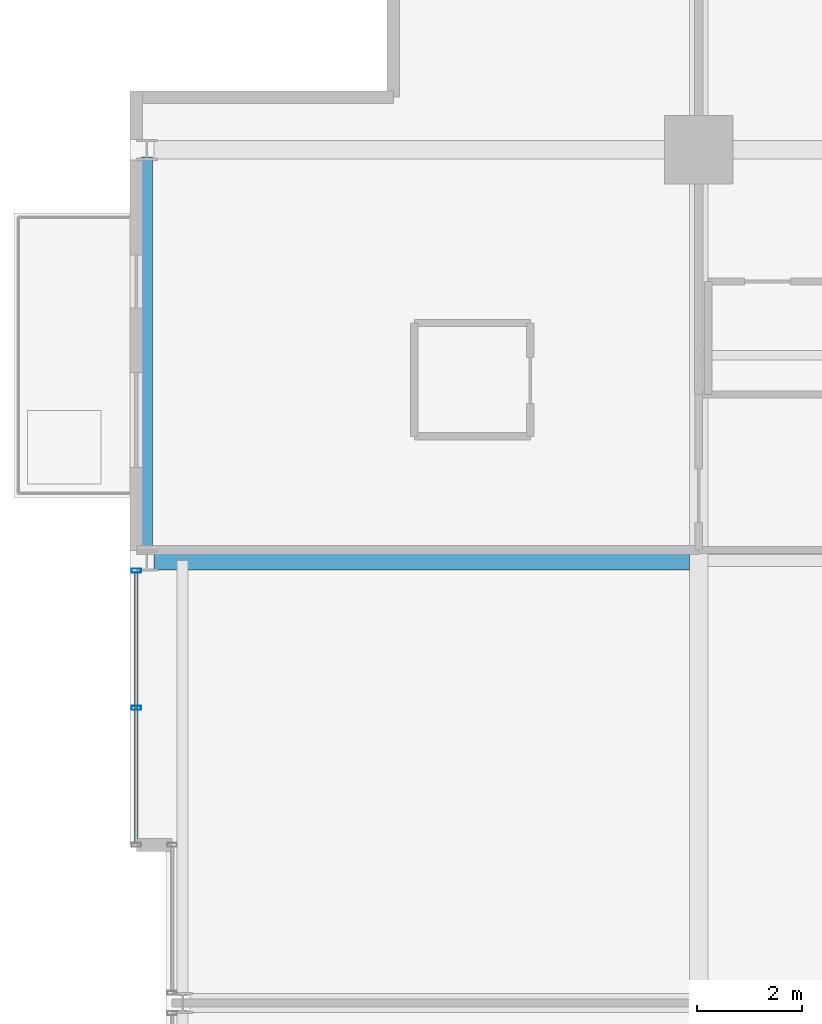
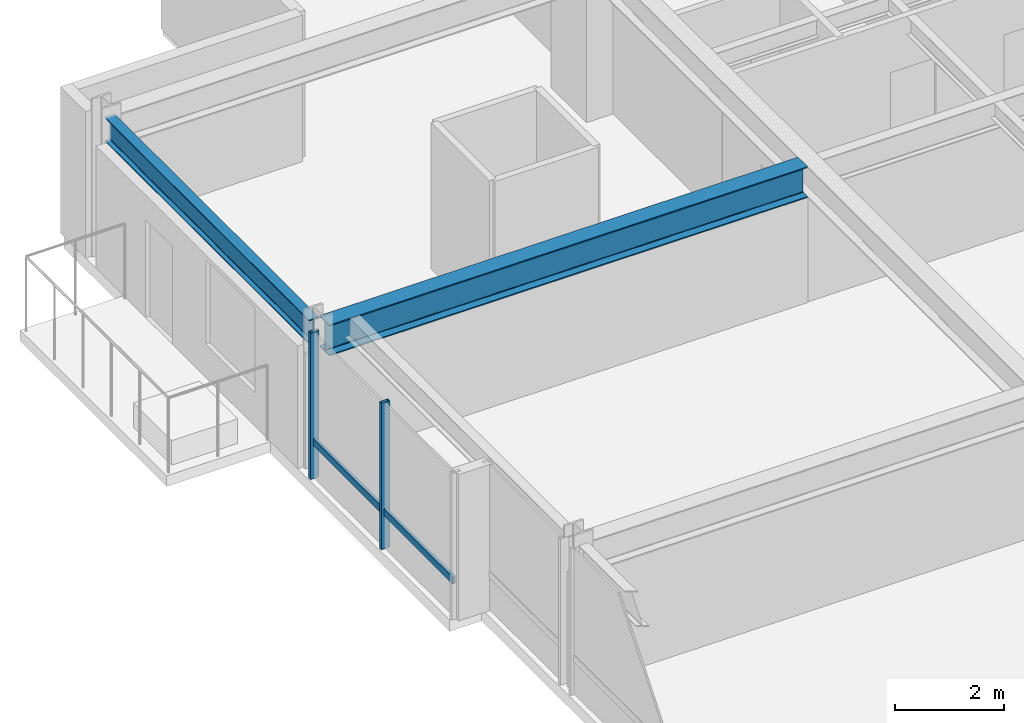
# One storey, part 17 of 31: 3 members, 2 beams, 1 element without a shape of its own.
"""IFC4 building model written with IfcOpenShell, lengths in metres."""

from ifc_helpers import new_model, si_unit, direction, frame, origin, origin_2d, place, context, subcontext, project, spatial, hollow_rectangle, i_section, extrude, material, layer, layer_set, material_profile, profile_set, type_object, element, aggregate, save


model = new_model("IFC4")

# Units and contexts
model_context = context("Model", 3, precision=1e-05, world=origin(), true_north=direction((0.0, 1.0)))
body_context = subcontext(model_context, "Body", "Model", "MODEL_VIEW")
ifc_project = project(units=[si_unit("LENGTHUNIT", "METRE"), si_unit("AREAUNIT", "SQUARE_METRE"), si_unit("VOLUMEUNIT", "CUBIC_METRE"), si_unit("PLANEANGLEUNIT", "RADIAN"), si_unit("MASSUNIT", "GRAM", prefix="KILO")], contexts=[model_context])

# Site, building, storey
site_placement = place(None, origin())
site = spatial("IfcSite", under=ifc_project, at=site_placement, CompositionType="ELEMENT")
building_placement = place(site_placement, origin())
building = spatial("IfcBuilding", under=site, at=building_placement, Name="Drelvath Grand Hotel", CompositionType="ELEMENT")
storey_placement = place(building_placement, frame((0.0, 0.0, 185.89990234375)))
storey = spatial("IfcBuildingStorey", under=building, at=storey_placement, Name="L48", CompositionType="ELEMENT", Elevation=185.89990234375)

# Curtain wall, members
ifc_material_1 = material(Name="Brushed Pale-Silver Anodised Aluminium Frame", Category="aluminium")
ifc_layer = layer(ifc_material_1, 0.199951171875)
ifc_layer_set = layer_set([ifc_layer], Name="Brushed Pale-Silver Anodised Aluminium Frame")
curtain_wall_type = type_object("IfcCurtainWallType", Name="Stick Curtain Wall CW-04 Brushed Silver Upper-Mid", PredefinedType="NOTDEFINED", material=ifc_layer_set)
curtain_wall_placement = place(storey_placement, origin())
curtain_wall = element("IfcCurtainWall", 1, at=curtain_wall_placement, inside=storey, type_object=curtain_wall_type, Name="L48 CW-04 Curtain Wall CW04-L48-WN1", PredefinedType="NOTDEFINED")
ifc_material_profile_1 = material_profile(ifc_material_1, hollow_rectangle(XDim=0.06494140625, YDim=0.159912109375, WallThickness=0.00390625, at=origin_2d()), Name="HSS160X65X4")
ifc_profile_set_1 = profile_set([ifc_material_profile_1], Name="Brushed Pale-Silver Anodised Aluminium Frame")
member_type_1 = type_object("IfcMemberType", Name="Curtain Wall Horizontal Transom CW-04 HSS160X65X4", PredefinedType="USERDEFINED", material=ifc_profile_set_1)
member_1_placement = place(storey_placement, frame((-26.8798828125, 30.0400390625, 0.822509765625), z_axis=(0.0, 1.0, 0.0), x_axis=(-1.0, 0.0, 0.0)))
member_1 = element("IfcMember", 2, at=member_1_placement, type_object=member_type_1, Name="CW04-L48-WN1 Sill Transom", ObjectType="TRANSOM", PredefinedType="USERDEFINED", context=body_context, shape_type="SweptSolid", body=[
    extrude(hollow_rectangle(XDim=0.06494140625, YDim=0.159912109375, WallThickness=0.00390625, at=origin_2d()), origin(), (0.0, 0.0, 1.0), 5.12841796875),
])
ifc_material_profile_2 = material_profile(ifc_material_1, hollow_rectangle(XDim=0.074951171875, YDim=0.179931640625, WallThickness=0.0048828125, at=origin_2d()), Name="HSS180X75X5")
ifc_profile_set_2 = profile_set([ifc_material_profile_2], Name="Brushed Pale-Silver Anodised Aluminium Frame")
member_type_2 = type_object("IfcMemberType", Name="Curtain Wall Vertical Mullion CW-04 HSS180X75X5", PredefinedType="MULLION", material=ifc_profile_set_2)
member_2_placement = place(storey_placement, frame((-26.8798828125, 32.604248046875, 0.0), z_axis=(0.0, 0.0, 1.0), x_axis=(0.0, 1.0, 0.0)))
member_2 = element("IfcMember", 3, at=member_2_placement, type_object=member_type_2, Name="CW04-L48-WN1 Mullion 2", PredefinedType="MULLION", context=body_context, shape_type="SweptSolid", body=[
    extrude(hollow_rectangle(XDim=0.074951171875, YDim=0.179931640625, WallThickness=0.0048828125, at=origin_2d()), origin(), (0.0, 0.0, 1.0), 3.2900390625),
])
member_3_placement = place(storey_placement, frame((-26.8798828125, 35.20849609375, 0.0), z_axis=(0.0, 0.0, 1.0), x_axis=(0.0, 1.0, 0.0)))
member_3 = element("IfcMember", 4, at=member_3_placement, type_object=member_type_2, Name="CW04-L48-WN1 Mullion 3", PredefinedType="MULLION", context=body_context, shape_type="SweptSolid", body=[
    extrude(hollow_rectangle(XDim=0.074951171875, YDim=0.179931640625, WallThickness=0.0048828125, at=origin_2d()), origin(), (0.0, 0.0, 1.0), 3.2900390625),
])
aggregate(curtain_wall, [member_2, member_3, member_1])

# Beams
ifc_material_2 = material(Name="Steel ASTM A992 Gr 50", Category="steel")
ifc_material_profile_3 = material_profile(ifc_material_2, i_section(OverallWidth=0.210205078125, OverallDepth=0.53662109375, WebThickness=0.010986328125, FlangeThickness=0.017333984375, FilletRadius=0.01806640625, at=origin_2d()), Name="W21X68")
ifc_profile_set_3 = profile_set([ifc_material_profile_3], Name="Steel ASTM A992 Gr 50")
beam_type_1 = type_object("IfcBeamType", Name="Perimeter Spandrel Beam W21X68", PredefinedType="SPANDREL", material=ifc_profile_set_3)
beam_1_placement = place(storey_placement, frame((-26.679931640625, 35.5400390625, 3.021728515625), z_axis=(0.0, 1.0, 0.0), x_axis=(-1.0, 0.0, 0.0)))
element("IfcBeam", 5, at=beam_1_placement, inside=storey, type_object=beam_type_1, Name="L48 Spandrel West N", PredefinedType="SPANDREL", context=body_context, shape_type="SweptSolid", body=[
    extrude(i_section(OverallWidth=0.210205078125, OverallDepth=0.53662109375, WebThickness=0.010986328125, FlangeThickness=0.017333984375, FilletRadius=0.01806640625, at=origin_2d()), origin(), (0.0, 0.0, 1.0), 7.52001953125),
])
ifc_material_profile_4 = material_profile(ifc_material_2, i_section(OverallWidth=0.354736328125, OverallDepth=0.695556640625, WebThickness=0.015380859375, FlangeThickness=0.025146484375, FilletRadius=0.02392578125, at=origin_2d()), Name="W27X146")
ifc_profile_set_4 = profile_set([ifc_material_profile_4], Name="Steel ASTM A992 Gr 50")
beam_type_2 = type_object("IfcBeamType", Name="Primary Floor Girder W27X146", PredefinedType="BEAM", material=ifc_profile_set_4)
beam_2_placement = place(storey_placement, frame((-26.5400390625, 35.39990234375, 2.9423828125), z_axis=(1.0, 0.0, 0.0), x_axis=(0.0, 1.0, 0.0)))
element("IfcBeam", 6, at=beam_2_placement, inside=storey, type_object=beam_type_2, Name="L48 West Wing Girder F", PredefinedType="BEAM", context=body_context, shape_type="SweptSolid", body=[
    extrude(i_section(OverallWidth=0.354736328125, OverallDepth=0.695556640625, WebThickness=0.015380859375, FlangeThickness=0.025146484375, FilletRadius=0.02392578125, at=origin_2d()), origin(), (0.0, 0.0, 1.0), 10.16259765625),
])

save(model, "model.ifc")
